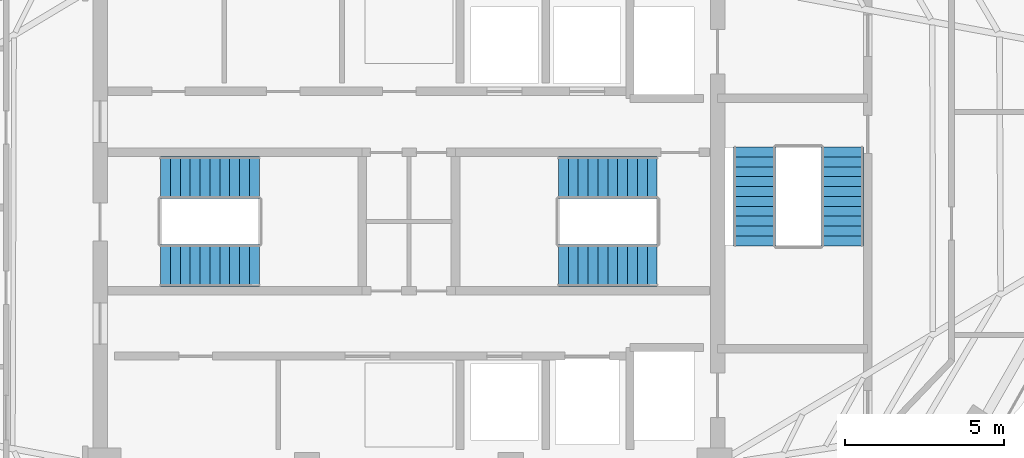
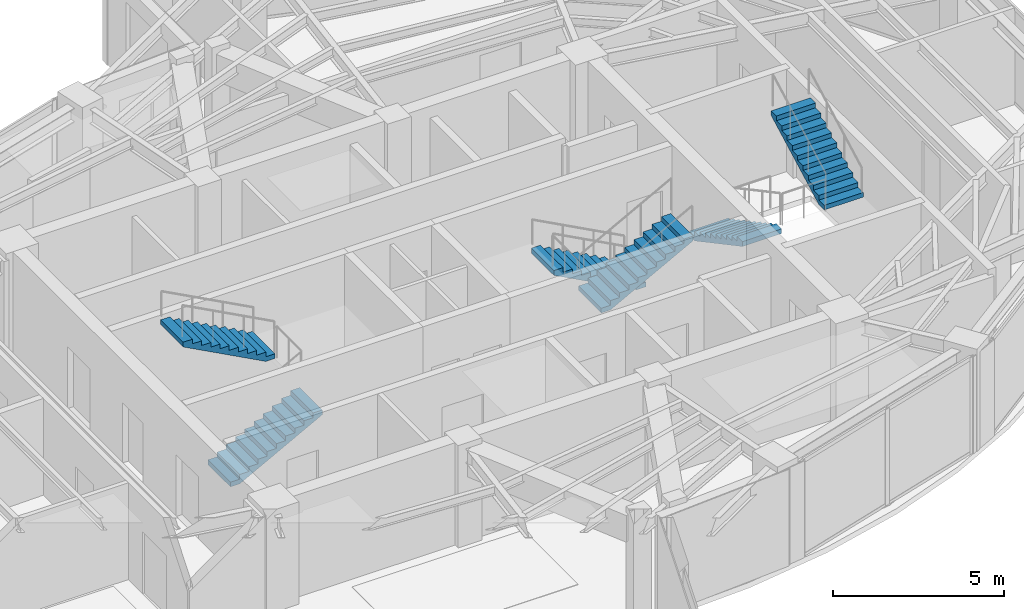
# One storey, part 21 of 23: 6 stair flights, 3 elements without a shape of their own.
"""IFC4 building model written with IfcOpenShell, lengths in metres."""

from ifc_helpers import new_model, si_unit, direction, frame, origin, place, context, subcontext, project, spatial, polyline, outline, extrude, material, type_object, element, aggregate, save


model = new_model("IFC4")

# Units and contexts
model_context = context("Model", 3, precision=1e-05, world=origin(), true_north=direction((0.0, 1.0)))
body_context = subcontext(model_context, "Body", "Model", "MODEL_VIEW")
ifc_project = project(units=[si_unit("LENGTHUNIT", "METRE"), si_unit("AREAUNIT", "SQUARE_METRE"), si_unit("VOLUMEUNIT", "CUBIC_METRE"), si_unit("PLANEANGLEUNIT", "RADIAN"), si_unit("MASSUNIT", "GRAM", prefix="KILO")], contexts=[model_context])

# Site, building, storey
site_placement = place(None, origin())
site = spatial("IfcSite", under=ifc_project, at=site_placement, CompositionType="ELEMENT")
building_placement = place(site_placement, origin())
building = spatial("IfcBuilding", under=site, at=building_placement, Name="Lazwardi Medical Tower", CompositionType="ELEMENT")
storey_placement = place(building_placement, frame((0.0, 0.0, 234.9599609375)))
storey = spatial("IfcBuildingStorey", under=building, at=storey_placement, Name="L61", CompositionType="ELEMENT", Elevation=234.9599609375)

# Stair, stair flights
ifc_material = material(Name="Concrete C45/55", Category="concrete")
stair_type = type_object("IfcStairType", Name="STR-WRD", PredefinedType="HALF_TURN_STAIR", material=ifc_material)
stair_1_placement = place(storey_placement, origin())
stair_1 = element("IfcStair", 1, at=stair_1_placement, inside=storey, type_object=stair_type, Name="L61 Protected Exit Stair ST1", PredefinedType="HALF_TURN_STAIR")
stair_flight_type = type_object("IfcStairFlightType", Name="FLT-WRD", PredefinedType="STRAIGHT", material=ifc_material)
stair_flight_1_placement = place(storey_placement, frame((28.199951171875, 26.679931640625, 0.0), z_axis=(0.0, 0.0, 1.0), x_axis=(1.0, 0.0, 0.0)))
stair_flight_1 = element("IfcStairFlight", 2, at=stair_flight_1_placement, type_object=stair_flight_type, Name="ST1 flight 1", NumberOfRisers=11, NumberOfTreads=10, PredefinedType="STRAIGHT", RiserHeight=0.165818182, TreadLength=0.31, context=body_context, shape_type="SweptSolid", body=[
    extrude(outline(polyline([(0.0, 0.0), (0.0, 0.165771484375), (0.31005859375, 0.165771484375), (0.31005859375, 0.33154296875), (0.6201171875, 0.33154296875), (0.6201171875, 0.49755859375), (0.929931640625, 0.49755859375), (0.929931640625, 0.663330078125), (1.239990234375, 0.663330078125), (1.239990234375, 0.8291015625), (1.550048828125, 0.8291015625), (1.550048828125, 0.994873046875), (1.860107421875, 0.994873046875), (1.860107421875, 1.16064453125), (2.169921875, 1.16064453125), (2.169921875, 1.32666015625), (2.47998046875, 1.32666015625), (2.47998046875, 1.492431640625), (2.7900390625, 1.492431640625), (2.7900390625, 1.658203125), (3.10009765625, 1.658203125), (3.10009765625, 1.823974609375), (3.10009765625, 1.48828125), (0.31787109375, 0.0), (0.0, 0.0)])), frame((0.0, 0.66015625, 0.0), z_axis=(0.0, -1.0, 0.0), x_axis=(1.0, 0.0, 0.0)), (0.0, 0.0, 1.0), 1.320068359375),
])
stair_flight_2_placement = place(storey_placement, frame((31.300048828125, 29.43994140625, 1.823974609375), z_axis=(0.0, 0.0, 1.0), x_axis=(-1.0, 0.0, 0.0)))
stair_flight_2 = element("IfcStairFlight", 3, at=stair_flight_2_placement, type_object=stair_flight_type, Name="ST1 flight 2", NumberOfRisers=11, NumberOfTreads=10, PredefinedType="STRAIGHT", RiserHeight=0.165818182, TreadLength=0.31, context=body_context, shape_type="SweptSolid", body=[
    extrude(outline(polyline([(0.0, 0.0), (0.0, 0.165771484375), (0.31005859375, 0.165771484375), (0.31005859375, 0.33154296875), (0.6201171875, 0.33154296875), (0.6201171875, 0.49755859375), (0.929931640625, 0.49755859375), (0.929931640625, 0.663330078125), (1.239990234375, 0.663330078125), (1.239990234375, 0.8291015625), (1.550048828125, 0.8291015625), (1.550048828125, 0.994873046875), (1.860107421875, 0.994873046875), (1.860107421875, 1.16064453125), (2.169921875, 1.16064453125), (2.169921875, 1.32666015625), (2.47998046875, 1.32666015625), (2.47998046875, 1.492431640625), (2.7900390625, 1.492431640625), (2.7900390625, 1.658203125), (3.10009765625, 1.658203125), (3.10009765625, 1.823974609375), (3.10009765625, 1.48828125), (0.31787109375, 0.0), (0.0, 0.0)])), frame((0.0, 0.66015625, 0.0), z_axis=(0.0, -1.0, 0.0), x_axis=(1.0, 0.0, 0.0)), (0.0, 0.0, 1.0), 1.320068359375),
])
aggregate(stair_1, [stair_flight_1, stair_flight_2])

stair_2_placement = place(storey_placement, origin())
stair_2 = element("IfcStair", 4, at=stair_2_placement, inside=storey, type_object=stair_type, Name="L61 Protected Exit Stair ST2", PredefinedType="HALF_TURN_STAIR")
stair_flight_3_placement = place(storey_placement, frame((43.800048828125, 29.43994140625, 0.0), z_axis=(0.0, 0.0, 1.0), x_axis=(-1.0, 0.0, 0.0)))
stair_flight_3 = element("IfcStairFlight", 5, at=stair_flight_3_placement, type_object=stair_flight_type, Name="ST2 flight 1", NumberOfRisers=11, NumberOfTreads=10, PredefinedType="STRAIGHT", RiserHeight=0.165818182, TreadLength=0.31, context=body_context, shape_type="SweptSolid", body=[
    extrude(outline(polyline([(0.0, 0.0), (0.0, 0.165771484375), (0.31005859375, 0.165771484375), (0.31005859375, 0.33154296875), (0.6201171875, 0.33154296875), (0.6201171875, 0.49755859375), (0.929931640625, 0.49755859375), (0.929931640625, 0.663330078125), (1.239990234375, 0.663330078125), (1.239990234375, 0.8291015625), (1.550048828125, 0.8291015625), (1.550048828125, 0.994873046875), (1.860107421875, 0.994873046875), (1.860107421875, 1.16064453125), (2.169921875, 1.16064453125), (2.169921875, 1.32666015625), (2.47998046875, 1.32666015625), (2.47998046875, 1.492431640625), (2.7900390625, 1.492431640625), (2.7900390625, 1.658203125), (3.10009765625, 1.658203125), (3.10009765625, 1.823974609375), (3.10009765625, 1.48828125), (0.31787109375, 0.0), (0.0, 0.0)])), frame((0.0, 0.66015625, 0.0), z_axis=(0.0, -1.0, 0.0), x_axis=(1.0, 0.0, 0.0)), (0.0, 0.0, 1.0), 1.320068359375),
])
stair_flight_4_placement = place(storey_placement, frame((40.699951171875, 26.679931640625, 1.823974609375), z_axis=(0.0, 0.0, 1.0), x_axis=(1.0, 0.0, 0.0)))
stair_flight_4 = element("IfcStairFlight", 6, at=stair_flight_4_placement, type_object=stair_flight_type, Name="ST2 flight 2", NumberOfRisers=11, NumberOfTreads=10, PredefinedType="STRAIGHT", RiserHeight=0.165818182, TreadLength=0.31, context=body_context, shape_type="SweptSolid", body=[
    extrude(outline(polyline([(0.0, 0.0), (0.0, 0.165771484375), (0.31005859375, 0.165771484375), (0.31005859375, 0.33154296875), (0.6201171875, 0.33154296875), (0.6201171875, 0.49755859375), (0.929931640625, 0.49755859375), (0.929931640625, 0.663330078125), (1.239990234375, 0.663330078125), (1.239990234375, 0.8291015625), (1.550048828125, 0.8291015625), (1.550048828125, 0.994873046875), (1.860107421875, 0.994873046875), (1.860107421875, 1.16064453125), (2.169921875, 1.16064453125), (2.169921875, 1.32666015625), (2.47998046875, 1.32666015625), (2.47998046875, 1.492431640625), (2.7900390625, 1.492431640625), (2.7900390625, 1.658203125), (3.10009765625, 1.658203125), (3.10009765625, 1.823974609375), (3.10009765625, 1.48828125), (0.31787109375, 0.0), (0.0, 0.0)])), frame((0.0, 0.66015625, 0.0), z_axis=(0.0, -1.0, 0.0), x_axis=(1.0, 0.0, 0.0)), (0.0, 0.0, 1.0), 1.320068359375),
])
aggregate(stair_2, [stair_flight_3, stair_flight_4])

stair_3_placement = place(storey_placement, origin())
stair_3 = element("IfcStair", 7, at=stair_3_placement, inside=storey, type_object=stair_type, Name="L61 Protected Exit Stair ST3", PredefinedType="HALF_TURN_STAIR")
stair_flight_5_placement = place(storey_placement, frame((46.860107421875, 30.39990234375, 0.0), z_axis=(0.0, 0.0, 1.0), x_axis=(0.0, -1.0, 0.0)))
stair_flight_5 = element("IfcStairFlight", 8, at=stair_flight_5_placement, type_object=stair_flight_type, Name="ST3 flight 1", NumberOfRisers=11, NumberOfTreads=10, PredefinedType="STRAIGHT", RiserHeight=0.165818182, TreadLength=0.31, context=body_context, shape_type="SweptSolid", body=[
    extrude(outline(polyline([(0.0, 0.0), (0.0, 0.165771484375), (0.31005859375, 0.165771484375), (0.31005859375, 0.33154296875), (0.6201171875, 0.33154296875), (0.6201171875, 0.49755859375), (0.929931640625, 0.49755859375), (0.929931640625, 0.663330078125), (1.239990234375, 0.663330078125), (1.239990234375, 0.8291015625), (1.550048828125, 0.8291015625), (1.550048828125, 0.994873046875), (1.860107421875, 0.994873046875), (1.860107421875, 1.16064453125), (2.169921875, 1.16064453125), (2.169921875, 1.32666015625), (2.47998046875, 1.32666015625), (2.47998046875, 1.492431640625), (2.7900390625, 1.492431640625), (2.7900390625, 1.658203125), (3.10009765625, 1.658203125), (3.10009765625, 1.823974609375), (3.10009765625, 1.48828125), (0.31787109375, 0.0), (0.0, 0.0)])), frame((0.0, 0.66015625, 0.0), z_axis=(0.0, -1.0, 0.0), x_axis=(1.0, 0.0, 0.0)), (0.0, 0.0, 1.0), 1.320068359375),
])
stair_flight_6_placement = place(storey_placement, frame((49.6201171875, 27.300048828125, 1.823974609375), z_axis=(0.0, 0.0, 1.0), x_axis=(0.0, 1.0, 0.0)))
stair_flight_6 = element("IfcStairFlight", 9, at=stair_flight_6_placement, type_object=stair_flight_type, Name="ST3 flight 2", NumberOfRisers=11, NumberOfTreads=10, PredefinedType="STRAIGHT", RiserHeight=0.165818182, TreadLength=0.31, context=body_context, shape_type="SweptSolid", body=[
    extrude(outline(polyline([(0.0, 0.0), (0.0, 0.165771484375), (0.31005859375, 0.165771484375), (0.31005859375, 0.33154296875), (0.6201171875, 0.33154296875), (0.6201171875, 0.49755859375), (0.929931640625, 0.49755859375), (0.929931640625, 0.663330078125), (1.239990234375, 0.663330078125), (1.239990234375, 0.8291015625), (1.550048828125, 0.8291015625), (1.550048828125, 0.994873046875), (1.860107421875, 0.994873046875), (1.860107421875, 1.16064453125), (2.169921875, 1.16064453125), (2.169921875, 1.32666015625), (2.47998046875, 1.32666015625), (2.47998046875, 1.492431640625), (2.7900390625, 1.492431640625), (2.7900390625, 1.658203125), (3.10009765625, 1.658203125), (3.10009765625, 1.823974609375), (3.10009765625, 1.48828125), (0.31787109375, 0.0), (0.0, 0.0)])), frame((0.0, 0.66015625, 0.0), z_axis=(0.0, -1.0, 0.0), x_axis=(1.0, 0.0, 0.0)), (0.0, 0.0, 1.0), 1.320068359375),
])
aggregate(stair_3, [stair_flight_5, stair_flight_6])

save(model, "model.ifc")
